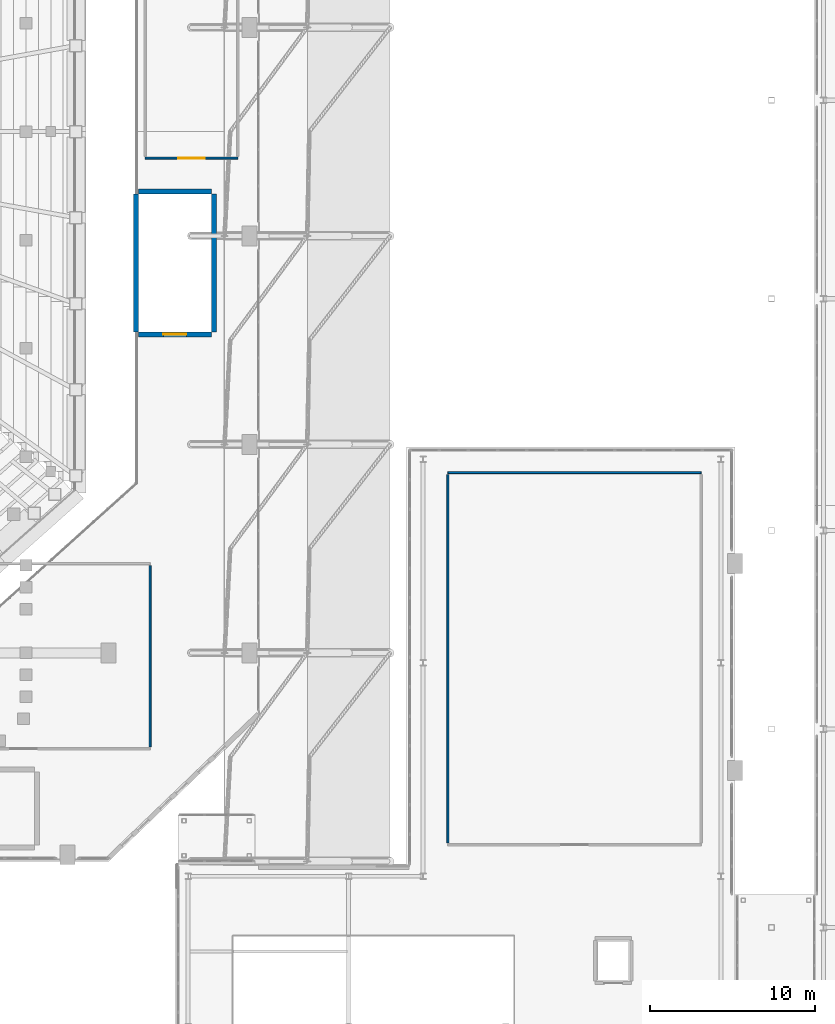
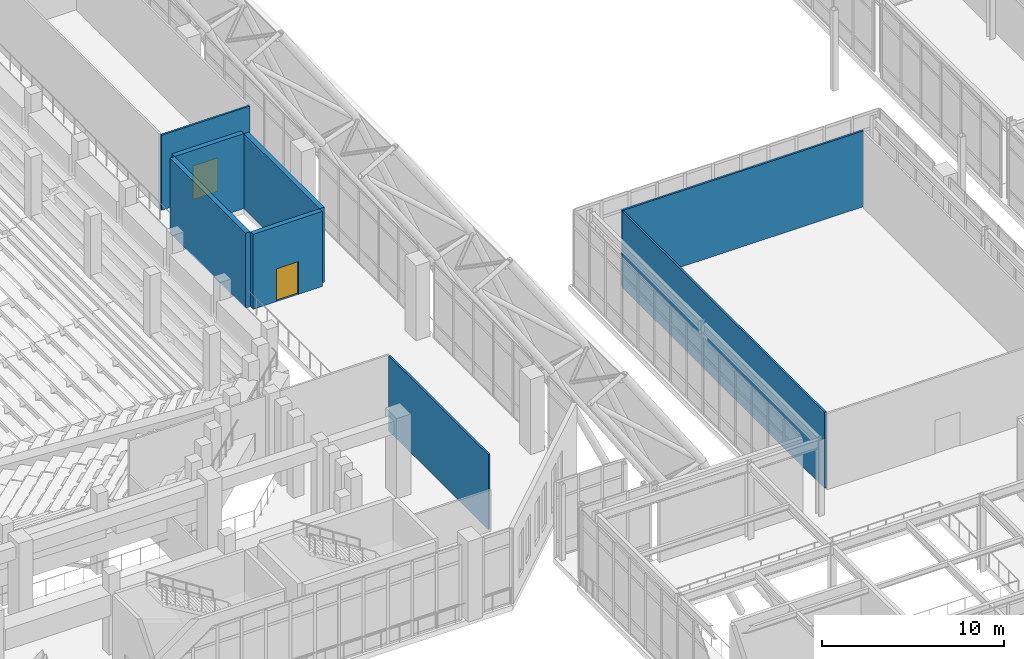
# One storey, part 128 of 159: 8 walls, 2 doors, 2 openings.
"""IFC4 building model written with IfcOpenShell, lengths in metres."""

from ifc_helpers import new_model, si_unit, derived_unit, direction, frame, frame_2d, origin, place, context, subcontext, project, spatial, rectangle, extrude, material, layer, layer_set, type_object, element, fill, save


model = new_model("IFC4")

# Units and contexts
model_context = context("Model", 3, precision=1e-05, world=origin(), true_north=direction((0.0, 1.0)))
body_context = subcontext(model_context, "Body", "Model", "MODEL_VIEW")
ifc_project = project(units=[si_unit("LENGTHUNIT", "METRE"), si_unit("AREAUNIT", "SQUARE_METRE"), si_unit("VOLUMEUNIT", "CUBIC_METRE"), si_unit("PLANEANGLEUNIT", "RADIAN"), si_unit("MASSUNIT", "GRAM", prefix="KILO"), derived_unit("THERMALTRANSMITTANCEUNIT", [(si_unit("MASSUNIT", "GRAM", prefix="KILO"), 1), (si_unit("TIMEUNIT", "SECOND"), -3), (si_unit("THERMODYNAMICTEMPERATUREUNIT", "KELVIN"), -1)])], contexts=[model_context])

# Site, building, storey
site_placement = place(None, origin())
site = spatial("IfcSite", under=ifc_project, at=site_placement, CompositionType="ELEMENT")
building_placement = place(site_placement, origin())
building = spatial("IfcBuilding", under=site, at=building_placement, Name="Valcora Ridge Arena", CompositionType="ELEMENT")
storey_placement = place(building_placement, frame((0.0, 0.0, 6.0)))
storey = spatial("IfcBuildingStorey", under=building, at=storey_placement, Name="L01", CompositionType="ELEMENT", Elevation=6.0)

# Wall
ifc_material_1 = material(Name="Acoustic metal-stud gypsum partition 120 mm")
ifc_layer_1 = layer(ifc_material_1, 0.1201171875, Name="Acoustic metal-stud gypsum partition 120 mm")
ifc_layer_set_1 = layer_set([ifc_layer_1], Name="Acoustic metal-stud gypsum partition 120 mm")
wall_type_1 = type_object("IfcWallType", Name="TY-WALL-IW-PART-120", PredefinedType="PARTITIONING", material=ifc_layer_set_1)
wall_1_placement = place(storey_placement, frame((96.5, 26.919921875, 0.0), z_axis=(0.0, 0.0, 1.0), x_axis=(0.0, 1.0, 0.0)))
element("IfcWall", 1, at=wall_1_placement, inside=storey, type_object=wall_type_1, Name="IW-PART-120 WAL-IN-0292", PredefinedType="PARTITIONING", context=body_context, shape_type="SweptSolid", body=[
    extrude(rectangle(XDim=10.9599609375, YDim=0.1201171875, at=frame_2d((5.47998046875, 0.0))), origin(), (0.0, 0.0, 1.0), 5.0400390625),
])

# Wall, opening, door
wall_2_placement = place(storey_placement, frame((96.199951171875, 62.5, 0.0), z_axis=(0.0, 0.0, 1.0), x_axis=(1.0, 0.0, 0.0)))
wall_2 = element("IfcWall", 2, at=wall_2_placement, inside=storey, type_object=wall_type_1, Name="IW-PART-120 WAL-IN-0297", PredefinedType="PARTITIONING", context=body_context, shape_type="SweptSolid", body=[
    extrude(rectangle(XDim=5.60009765625, YDim=0.1201171875, at=frame_2d((2.800048828125, 0.0))), origin(), (0.0, 0.0, 1.0), 5.0400390625),
])
opening_1_placement = place(wall_2_placement, frame((2.0, 0.0, 0.0)))
opening_1 = element("IfcOpeningElement", 3, at=opening_1_placement, cuts=wall_2, Name="Opening D-PUB-1600", PredefinedType="OPENING", context=body_context, shape_type="SweptSolid", body=[
    extrude(rectangle(XDim=1.60009765625, YDim=2.25, at=frame_2d((0.800048828125, 1.125))), frame((0.0, 0.070068359375, 0.0), z_axis=(0.0, -1.0, 0.0), x_axis=(1.0, 0.0, 0.0)), (0.0, 0.0, 1.0), 0.14013671875),
])
ifc_material_2 = material(Name="Solid-core acoustic timber veneer door leaf", Category="wood")
door_type_1 = type_object("IfcDoorType", Name="TY-DOOR-D-PUB-1600", OperationType="NOTDEFINED", PredefinedType="DOOR", material=ifc_material_2)
door_1_placement = place(opening_1_placement, origin())
door_1 = element("IfcDoor", 4, at=door_1_placement, inside=storey, type_object=door_type_1, Name="D-PUB-1600 DOR-IN-0079", OperationType="DOUBLE_DOOR_SINGLE_SWING", OverallHeight=2.25, OverallWidth=1.60009765625, PredefinedType="DOOR", context=body_context, shape_type="SweptSolid", body=[
    extrude(rectangle(XDim=1.60009765625, YDim=2.25, at=frame_2d((0.800048828125, 1.125))), frame((0.0, 0.02490234375, 0.0), z_axis=(0.0, -1.0, 0.0), x_axis=(1.0, 0.0, 0.0)), (0.0, 0.0, 1.0), 0.050048828125),
])
fill(opening_1, door_1)

# Walls
wall_3_placement = place(storey_placement, frame((114.5, 43.5, 0.0), z_axis=(0.0, 0.0, 1.0), x_axis=(1.0, 0.0, 0.0)))
element("IfcWall", 5, at=wall_3_placement, inside=storey, type_object=wall_type_1, Name="IW-PART-120 WAL-IN-0314", PredefinedType="PARTITIONING", context=body_context, shape_type="SweptSolid", body=[
    extrude(rectangle(XDim=15.300048828125, YDim=0.1201171875, at=frame_2d((7.64990234375, 0.0))), origin(), (0.0, 0.0, 1.0), 5.10009765625),
])
wall_4_placement = place(storey_placement, frame((114.5, 21.1201171875, 0.0), z_axis=(0.0, 0.0, 1.0), x_axis=(0.0, 1.0, 0.0)))
element("IfcWall", 6, at=wall_4_placement, inside=storey, type_object=wall_type_1, Name="IW-PART-120 WAL-IN-0315", PredefinedType="PARTITIONING", context=body_context, shape_type="SweptSolid", body=[
    extrude(rectangle(XDim=22.259765625, YDim=0.1201171875, at=frame_2d((11.1298828125, 0.0))), origin(), (0.0, 0.0, 1.0), 5.10009765625),
])
ifc_material_3 = material(Name="Concrete C45/55", Category="concrete")
ifc_layer_2 = layer(ifc_material_3, 0.300048828125, Name="Concrete C45/55")
ifc_layer_set_2 = layer_set([ifc_layer_2], Name="Concrete C45/55")
wall_type_2 = type_object("IfcWallType", Name="TY-WALL-SW-C300-L", PredefinedType="SHEAR", material=ifc_layer_set_2)
for number, where, z_axis, x_axis, name in (
    (7, (95.64990234375, 52.0, 0.0), (0.0, 0.0, 1.0), (0.0, 1.0, 0.0), "SW-C300-L WAL-CR-0143"),
    (8, (100.35009765625, 52.0, 0.0), (0.0, 0.0, 1.0), (0.0, 1.0, 0.0), "SW-C300-L WAL-CR-0144"),
):
    element("IfcWall", number, at=place(storey_placement, frame(where, z_axis=z_axis, x_axis=x_axis)), inside=storey, type_object=wall_type_2, Name=name, PredefinedType="SHEAR", context=body_context, shape_type="SweptSolid", body=[
        extrude(rectangle(XDim=8.320068359375, YDim=0.300048828125, at=frame_2d((4.16015625, 0.0))), origin(), (0.0, 0.0, 1.0), 5.0400390625),
    ])

# Wall, opening, door
ifc_layer_3 = layer(ifc_material_3, 0.300048828125, Name="Concrete C45/55")
ifc_layer_set_3 = layer_set([ifc_layer_3], Name="Concrete C45/55")
wall_type_3 = type_object("IfcWallType", Name="TY-WALL-SW-C300-S", PredefinedType="SHEAR", material=ifc_layer_set_3)
wall_5_placement = place(storey_placement, frame((95.800048828125, 51.85009765625, 0.0), z_axis=(0.0, 0.0, 1.0), x_axis=(1.0, 0.0, 0.0)))
wall_5 = element("IfcWall", 9, at=wall_5_placement, inside=storey, type_object=wall_type_3, Name="SW-C300-S WAL-CR-0141", PredefinedType="SHEAR", context=body_context, shape_type="SweptSolid", body=[
    extrude(rectangle(XDim=4.39990234375, YDim=0.300048828125, at=frame_2d((2.199951171875, 0.0))), origin(), (0.0, 0.0, 1.0), 5.0400390625),
])
opening_2_placement = place(wall_5_placement, frame((1.5, 0.0, 0.0)))
opening_2 = element("IfcOpeningElement", 10, at=opening_2_placement, cuts=wall_5, Name="Opening FD-01", PredefinedType="OPENING", context=body_context, shape_type="SweptSolid", body=[
    extrude(rectangle(XDim=1.39990234375, YDim=2.199951171875, at=frame_2d((0.699951171875, 1.10009765625))), frame((0.0, 0.159912109375, 0.0), z_axis=(0.0, -1.0, 0.0), x_axis=(1.0, 0.0, 0.0)), (0.0, 0.0, 1.0), 0.320068359375),
])
ifc_material_4 = material(Name="Insulated fire-rated steel door leaf", Category="steel")
door_type_2 = type_object("IfcDoorType", Name="TY-DOOR-FD-01", OperationType="NOTDEFINED", PredefinedType="DOOR", material=ifc_material_4)
door_2_placement = place(opening_2_placement, origin())
door_2 = element("IfcDoor", 11, at=door_2_placement, inside=storey, type_object=door_type_2, Name="FD-01 DOR-ST-0036", OperationType="DOUBLE_DOOR_SINGLE_SWING", OverallHeight=2.199951171875, OverallWidth=1.39990234375, PredefinedType="DOOR", context=body_context, shape_type="SweptSolid", body=[
    extrude(rectangle(XDim=1.39990234375, YDim=2.199951171875, at=frame_2d((0.699951171875, 1.10009765625))), frame((0.0, 0.02490234375, 0.0), z_axis=(0.0, -1.0, 0.0), x_axis=(1.0, 0.0, 0.0)), (0.0, 0.0, 1.0), 0.050048828125),
])
fill(opening_2, door_2)

# Wall
wall_6_placement = place(storey_placement, frame((95.800048828125, 60.469970703125, 0.0), z_axis=(0.0, 0.0, 1.0), x_axis=(1.0, 0.0, 0.0)))
element("IfcWall", 12, at=wall_6_placement, inside=storey, type_object=wall_type_3, Name="SW-C300-S WAL-CR-0142", PredefinedType="SHEAR", context=body_context, shape_type="SweptSolid", body=[
    extrude(rectangle(XDim=4.39990234375, YDim=0.300048828125, at=frame_2d((2.199951171875, 0.0))), origin(), (0.0, 0.0, 1.0), 5.0400390625),
])

save(model, "model.ifc")
